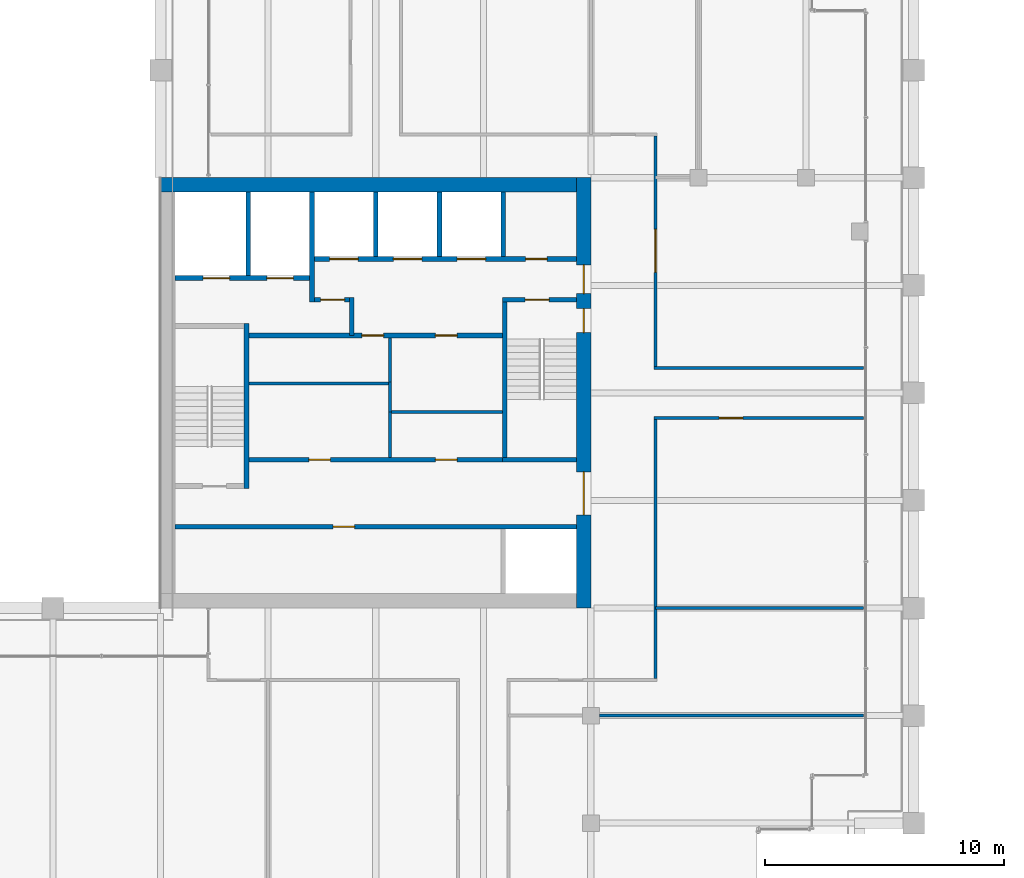
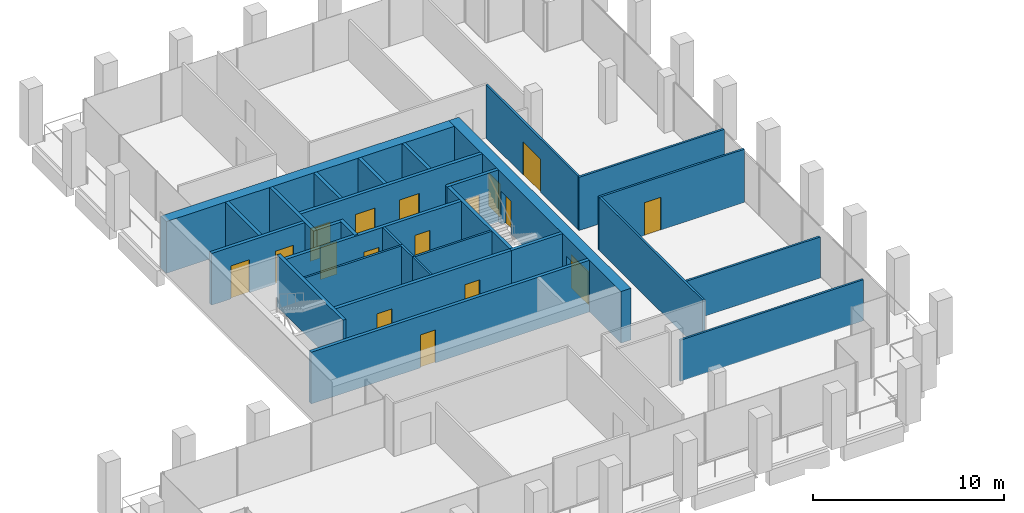
# One storey, part 36 of 40: 29 walls, 18 doors, 18 openings.
"""IFC4 building model written with IfcOpenShell, lengths in metres."""

from ifc_helpers import new_model, si_unit, direction, frame, frame_2d, origin, place, context, subcontext, project, spatial, rectangle, extrude, material, layer, layer_set, type_object, element, fill, save


model = new_model("IFC4")

# Units and contexts
model_context = context("Model", 3, precision=1e-05, world=origin(), true_north=direction((0.0, 1.0)))
body_context = subcontext(model_context, "Body", "Model", "MODEL_VIEW")
ifc_project = project(units=[si_unit("LENGTHUNIT", "METRE"), si_unit("AREAUNIT", "SQUARE_METRE"), si_unit("VOLUMEUNIT", "CUBIC_METRE"), si_unit("PLANEANGLEUNIT", "RADIAN"), si_unit("MASSUNIT", "GRAM", prefix="KILO")], contexts=[model_context])

# Site, building, storey
site_placement = place(None, origin())
site = spatial("IfcSite", under=ifc_project, at=site_placement, CompositionType="ELEMENT")
building_placement = place(site_placement, origin())
building = spatial("IfcBuilding", under=site, at=building_placement, Name="Altepetl Exchange Towers", CompositionType="ELEMENT")
storey_placement = place(building_placement, frame((0.0, 0.0, 187.0)))
storey = spatial("IfcBuildingStorey", under=building, at=storey_placement, Name="L47", CompositionType="ELEMENT", Elevation=187.0)

# Wall, openings, doors
ifc_material_1 = material(Name="Concrete C70/85", Category="concrete")
ifc_layer_1 = layer(ifc_material_1, 0.60009765625)
ifc_layer_set_1 = layer_set([ifc_layer_1], Name="Concrete C70/85")
wall_type_1 = type_object("IfcWallType", Name="Core wall 600 reinforced concrete", PredefinedType="SHEAR", material=ifc_layer_set_1)
wall_1_placement = place(storey_placement, frame((58.199951171875, 40.5, 0.0), z_axis=(0.0, 0.0, 1.0), x_axis=(0.0, 1.0, 0.0)))
wall_1 = element("IfcWall", 1, at=wall_1_placement, inside=storey, type_object=wall_type_1, Name="wall:A:L47:K-coreE", PredefinedType="SHEAR", context=body_context, shape_type="SweptSolid", body=[
    extrude(rectangle(XDim=18.0, YDim=0.60009765625, at=frame_2d((9.0, 0.0))), origin(), (0.0, 0.0, 1.0), 3.300048828125),
])
opening_1_placement = place(wall_1_placement, frame((13.14990234375, 0.0, 0.0)))
opening_1 = element("IfcOpeningElement", 2, at=opening_1_placement, cuts=wall_1, Name="Opening L47.A60", PredefinedType="OPENING", context=body_context, shape_type="SweptSolid", body=[
    extrude(rectangle(XDim=1.199951171875, YDim=2.10009765625, at=frame_2d((0.60009765625, 1.050048828125))), frame((0.0, 0.31005859375, 0.0), z_axis=(0.0, -1.0, 0.0), x_axis=(1.0, 0.0, 0.0)), (0.0, 0.0, 1.0), 0.6201171875),
])
opening_2_placement = place(wall_1_placement, frame((3.89990234375, 0.0, 0.0)))
opening_2 = element("IfcOpeningElement", 3, at=opening_2_placement, cuts=wall_1, Name="Opening L47.A61", PredefinedType="OPENING", context=body_context, shape_type="SweptSolid", body=[
    extrude(rectangle(XDim=1.800048828125, YDim=2.10009765625, at=frame_2d((0.89990234375, 1.050048828125))), frame((0.0, 0.31005859375, 0.0), z_axis=(0.0, -1.0, 0.0), x_axis=(1.0, 0.0, 0.0)), (0.0, 0.0, 1.0), 0.6201171875),
])
opening_3_placement = place(wall_1_placement, frame((11.52490234375, 0.0, 0.0)))
opening_3 = element("IfcOpeningElement", 4, at=opening_3_placement, cuts=wall_1, Name="Opening L47.A64", PredefinedType="OPENING", context=body_context, shape_type="SweptSolid", body=[
    extrude(rectangle(XDim=1.0, YDim=2.10009765625, at=frame_2d((0.5, 1.050048828125))), frame((0.0, 0.31005859375, 0.0), z_axis=(0.0, -1.0, 0.0), x_axis=(1.0, 0.0, 0.0)), (0.0, 0.0, 1.0), 0.6201171875),
])
ifc_material_2 = material(Name="Steel and timber fire door", Category="steel")
door_type_1 = type_object("IfcDoorType", Name="Fire door 1000 x 2100 stair and lobby", OperationType="SINGLE_SWING_LEFT", PredefinedType="DOOR", material=ifc_material_2)
door_1_placement = place(opening_3_placement, origin())
door_1 = element("IfcDoor", 5, at=door_1_placement, inside=storey, type_object=door_type_1, Name="door:A:L47:K-dS2x", OperationType="SINGLE_SWING_RIGHT", OverallHeight=2.10009765625, OverallWidth=1.0, PredefinedType="DOOR", context=body_context, shape_type="SweptSolid", body=[
    extrude(rectangle(XDim=1.0, YDim=2.10009765625, at=frame_2d((0.5, 1.050048828125))), frame((0.0, 0.02490234375, 0.0), z_axis=(0.0, -1.0, 0.0), x_axis=(1.0, 0.0, 0.0)), (0.0, 0.0, 1.0), 0.050048828125),
])
fill(opening_3, door_1)
door_type_2 = type_object("IfcDoorType", Name="Fire door 1200 x 2100 lobby entry", OperationType="SINGLE_SWING_LEFT", PredefinedType="DOOR", material=ifc_material_2)
door_2_placement = place(opening_1_placement, origin())
door_2 = element("IfcDoor", 6, at=door_2_placement, inside=storey, type_object=door_type_2, Name="door:A:L47:K-dLNE", OperationType="SINGLE_SWING_RIGHT", OverallHeight=2.10009765625, OverallWidth=1.199951171875, PredefinedType="DOOR", context=body_context, shape_type="SweptSolid", body=[
    extrude(rectangle(XDim=1.199951171875, YDim=2.10009765625, at=frame_2d((0.60009765625, 1.050048828125))), frame((0.0, 0.02490234375, 0.0), z_axis=(0.0, -1.0, 0.0), x_axis=(1.0, 0.0, 0.0)), (0.0, 0.0, 1.0), 0.050048828125),
])
fill(opening_1, door_2)
door_type_3 = type_object("IfcDoorType", Name="Fire door 1800 x 2100 lobby entry", OperationType="DOUBLE_DOOR_SINGLE_SWING", PredefinedType="DOOR", material=ifc_material_2)
door_3_placement = place(opening_2_placement, origin())
door_3 = element("IfcDoor", 7, at=door_3_placement, inside=storey, type_object=door_type_3, Name="door:A:L47:K-dLSE", OperationType="DOUBLE_DOOR_SINGLE_SWING", OverallHeight=2.10009765625, OverallWidth=1.800048828125, PredefinedType="DOOR", context=body_context, shape_type="SweptSolid", body=[
    extrude(rectangle(XDim=1.800048828125, YDim=2.10009765625, at=frame_2d((0.89990234375, 1.050048828125))), frame((0.0, 0.02490234375, 0.0), z_axis=(0.0, -1.0, 0.0), x_axis=(1.0, 0.0, 0.0)), (0.0, 0.0, 1.0), 0.050048828125),
])
fill(opening_2, door_3)

# Walls
wall_2_placement = place(storey_placement, frame((40.5, 58.199951171875, 0.0)))
element("IfcWall", 8, at=wall_2_placement, inside=storey, type_object=wall_type_1, Name="wall:A:L47:K-coreN", PredefinedType="SHEAR", context=body_context, shape_type="SweptSolid", body=[
    extrude(rectangle(XDim=17.39990234375, YDim=0.60009765625, at=frame_2d((8.699951171875, 0.0))), origin(), (0.0, 0.0, 1.0), 3.300048828125),
])
ifc_material_3 = material(Name="Concrete blockwork", Category="masonry")
ifc_layer_2 = layer(ifc_material_3, 0.199951171875)
ifc_layer_set_2 = layer_set([ifc_layer_2], Name="Concrete blockwork")
wall_type_2 = type_object("IfcWallType", Name="Lobby wall 200 blockwork", PredefinedType="PARTITIONING", material=ifc_layer_set_2)
wall_3_placement = place(storey_placement, frame((48.5, 51.89990234375, 0.0), z_axis=(0.0, 0.0, 1.0), x_axis=(0.0, 1.0, 0.0)))
element("IfcWall", 9, at=wall_3_placement, inside=storey, type_object=wall_type_2, Name="wall:A:L47:K-ffE", PredefinedType="PARTITIONING", context=body_context, shape_type="SweptSolid", body=[
    extrude(rectangle(XDim=1.60009765625, YDim=0.199951171875, at=frame_2d((0.800048828125, 0.0))), origin(), (0.0, 0.0, 1.0), 3.300048828125),
])

# Wall, opening, door
wall_4_placement = place(storey_placement, frame((46.933349609375, 53.39990234375, 0.0)))
wall_4 = element("IfcWall", 10, at=wall_4_placement, inside=storey, type_object=wall_type_2, Name="wall:A:L47:K-ffN", PredefinedType="PARTITIONING", context=body_context, shape_type="SweptSolid", body=[
    extrude(rectangle(XDim=1.466552734375, YDim=0.199951171875, at=frame_2d((0.7333984375, 0.0))), origin(), (0.0, 0.0, 1.0), 3.300048828125),
])
opening_4_placement = place(wall_4_placement, frame((0.2666015625, 0.0, 0.0)))
opening_4 = element("IfcOpeningElement", 11, at=opening_4_placement, cuts=wall_4, Name="Opening L47.A65", PredefinedType="OPENING", context=body_context, shape_type="SweptSolid", body=[
    extrude(rectangle(XDim=1.0, YDim=2.10009765625, at=frame_2d((0.5, 1.050048828125))), frame((0.0, 0.10986328125, 0.0), z_axis=(0.0, -1.0, 0.0), x_axis=(1.0, 0.0, 0.0)), (0.0, 0.0, 1.0), 0.219970703125),
])
door_4_placement = place(opening_4_placement, frame((1.0, 0.0, 0.0), x_axis=(-1.0, 0.0, 0.0)))
door_4 = element("IfcDoor", 12, at=door_4_placement, inside=storey, type_object=door_type_1, Name="door:A:L47:K-dffN", OperationType="SINGLE_SWING_RIGHT", OverallHeight=2.10009765625, OverallWidth=1.0, PredefinedType="DOOR", context=body_context, shape_type="SweptSolid", body=[
    extrude(rectangle(XDim=1.0, YDim=2.10009765625, at=frame_2d((0.5, 1.050048828125))), frame((0.0, 0.02490234375, 0.0), z_axis=(0.0, -1.0, 0.0), x_axis=(1.0, 0.0, 0.0)), (0.0, 0.0, 1.0), 0.050048828125),
])
fill(opening_4, door_4)

# Wall, openings, doors
wall_5_placement = place(storey_placement, frame((44.199951171875, 51.89990234375, 0.0)))
wall_5 = element("IfcWall", 13, at=wall_5_placement, inside=storey, type_object=wall_type_2, Name="wall:A:L47:K-zoneN", PredefinedType="PARTITIONING", context=body_context, shape_type="SweptSolid", body=[
    extrude(rectangle(XDim=10.60009765625, YDim=0.199951171875, at=frame_2d((5.300048828125, 0.0))), origin(), (0.0, 0.0, 1.0), 3.300048828125),
])
opening_5_placement = place(wall_5_placement, frame((4.72509765625, 0.0, 0.0)))
opening_5 = element("IfcOpeningElement", 14, at=opening_5_placement, cuts=wall_5, Name="Opening L47.A69", PredefinedType="OPENING", context=body_context, shape_type="SweptSolid", body=[
    extrude(rectangle(XDim=0.89990234375, YDim=2.10009765625, at=frame_2d((0.449951171875, 1.050048828125))), frame((0.0, 0.10986328125, 0.0), z_axis=(0.0, -1.0, 0.0), x_axis=(1.0, 0.0, 0.0)), (0.0, 0.0, 1.0), 0.219970703125),
])
opening_6_placement = place(wall_5_placement, frame((7.800048828125, 0.0, 0.0)))
opening_6 = element("IfcOpeningElement", 15, at=opening_6_placement, cuts=wall_5, Name="Opening L47.A71", PredefinedType="OPENING", context=body_context, shape_type="SweptSolid", body=[
    extrude(rectangle(XDim=0.89990234375, YDim=2.10009765625, at=frame_2d((0.449951171875, 1.050048828125))), frame((0.0, 0.10986328125, 0.0), z_axis=(0.0, -1.0, 0.0), x_axis=(1.0, 0.0, 0.0)), (0.0, 0.0, 1.0), 0.219970703125),
])
door_type_4 = type_object("IfcDoorType", Name="Fire door 900 x 2100 service room", OperationType="SINGLE_SWING_LEFT", PredefinedType="DOOR", material=ifc_material_2)
door_5_placement = place(opening_5_placement, frame((0.89990234375, 0.0, 0.0), x_axis=(-1.0, 0.0, 0.0)))
door_5 = element("IfcDoor", 16, at=door_5_placement, inside=storey, type_object=door_type_4, Name="door:A:L47:K-dz2", OperationType="SINGLE_SWING_RIGHT", OverallHeight=2.10009765625, OverallWidth=0.89990234375, PredefinedType="DOOR", context=body_context, shape_type="SweptSolid", body=[
    extrude(rectangle(XDim=0.89990234375, YDim=2.10009765625, at=frame_2d((0.449951171875, 1.050048828125))), frame((0.0, 0.02490234375, 0.0), z_axis=(0.0, -1.0, 0.0), x_axis=(1.0, 0.0, 0.0)), (0.0, 0.0, 1.0), 0.050048828125),
])
fill(opening_5, door_5)
door_6_placement = place(opening_6_placement, frame((0.89990234375, 0.0, 0.0), x_axis=(-1.0, 0.0, 0.0)))
door_6 = element("IfcDoor", 17, at=door_6_placement, inside=storey, type_object=door_type_4, Name="door:A:L47:K-dz4", OperationType="SINGLE_SWING_LEFT", OverallHeight=2.10009765625, OverallWidth=0.89990234375, PredefinedType="DOOR", context=body_context, shape_type="SweptSolid", body=[
    extrude(rectangle(XDim=0.89990234375, YDim=2.10009765625, at=frame_2d((0.449951171875, 1.050048828125))), frame((0.0, 0.02490234375, 0.0), z_axis=(0.0, -1.0, 0.0), x_axis=(1.0, 0.0, 0.0)), (0.0, 0.0, 1.0), 0.050048828125),
])
fill(opening_6, door_6)

wall_6_placement = place(storey_placement, frame((44.199951171875, 46.699951171875, 0.0)))
wall_6 = element("IfcWall", 18, at=wall_6_placement, inside=storey, type_object=wall_type_2, Name="wall:A:L47:K-zoneS", PredefinedType="PARTITIONING", context=body_context, shape_type="SweptSolid", body=[
    extrude(rectangle(XDim=10.60009765625, YDim=0.199951171875, at=frame_2d((5.300048828125, 0.0))), origin(), (0.0, 0.0, 1.0), 3.300048828125),
])
opening_7_placement = place(wall_6_placement, frame((2.5, 0.0, 0.0)))
opening_7 = element("IfcOpeningElement", 19, at=opening_7_placement, cuts=wall_6, Name="Opening L47.A68", PredefinedType="OPENING", context=body_context, shape_type="SweptSolid", body=[
    extrude(rectangle(XDim=0.89990234375, YDim=2.10009765625, at=frame_2d((0.449951171875, 1.050048828125))), frame((0.0, 0.10986328125, 0.0), z_axis=(0.0, -1.0, 0.0), x_axis=(1.0, 0.0, 0.0)), (0.0, 0.0, 1.0), 0.219970703125),
])
opening_8_placement = place(wall_6_placement, frame((7.800048828125, 0.0, 0.0)))
opening_8 = element("IfcOpeningElement", 20, at=opening_8_placement, cuts=wall_6, Name="Opening L47.A70", PredefinedType="OPENING", context=body_context, shape_type="SweptSolid", body=[
    extrude(rectangle(XDim=0.89990234375, YDim=2.10009765625, at=frame_2d((0.449951171875, 1.050048828125))), frame((0.0, 0.10986328125, 0.0), z_axis=(0.0, -1.0, 0.0), x_axis=(1.0, 0.0, 0.0)), (0.0, 0.0, 1.0), 0.219970703125),
])
door_7_placement = place(opening_7_placement, origin())
door_7 = element("IfcDoor", 21, at=door_7_placement, inside=storey, type_object=door_type_4, Name="door:A:L47:K-dz1", OperationType="SINGLE_SWING_RIGHT", OverallHeight=2.10009765625, OverallWidth=0.89990234375, PredefinedType="DOOR", context=body_context, shape_type="SweptSolid", body=[
    extrude(rectangle(XDim=0.89990234375, YDim=2.10009765625, at=frame_2d((0.449951171875, 1.050048828125))), frame((0.0, 0.02490234375, 0.0), z_axis=(0.0, -1.0, 0.0), x_axis=(1.0, 0.0, 0.0)), (0.0, 0.0, 1.0), 0.050048828125),
])
fill(opening_7, door_7)
door_8_placement = place(opening_8_placement, origin())
door_8 = element("IfcDoor", 22, at=door_8_placement, inside=storey, type_object=door_type_4, Name="door:A:L47:K-dz3", OperationType="SINGLE_SWING_RIGHT", OverallHeight=2.10009765625, OverallWidth=0.89990234375, PredefinedType="DOOR", context=body_context, shape_type="SweptSolid", body=[
    extrude(rectangle(XDim=0.89990234375, YDim=2.10009765625, at=frame_2d((0.449951171875, 1.050048828125))), frame((0.0, 0.02490234375, 0.0), z_axis=(0.0, -1.0, 0.0), x_axis=(1.0, 0.0, 0.0)), (0.0, 0.0, 1.0), 0.050048828125),
])
fill(opening_8, door_8)

# Walls
ifc_material_4 = material(Name="Gypsum board on steel studs", Category="steel")
ifc_layer_3 = layer(ifc_material_4, 0.125)
ifc_layer_set_3 = layer_set([ifc_layer_3], Name="Gypsum board on steel studs")
wall_type_3 = type_object("IfcWallType", Name="Partition 125 gypsum board on steel studs", PredefinedType="PARTITIONING", material=ifc_layer_set_3)
wall_7_placement = place(storey_placement, frame((50.10009765625, 46.800048828125, 0.0), z_axis=(0.0, 0.0, 1.0), x_axis=(0.0, 1.0, 0.0)))
element("IfcWall", 23, at=wall_7_placement, inside=storey, type_object=wall_type_3, Name="wall:A:L47:K-zp1", PredefinedType="PARTITIONING", context=body_context, shape_type="SweptSolid", body=[
    extrude(rectangle(XDim=1.96240234375, YDim=0.125, at=frame_2d((0.981201171875, 0.0))), origin(), (0.0, 0.0, 1.0), 3.300048828125),
])
wall_8_placement = place(storey_placement, frame((54.800048828125, 48.699951171875, 0.0), z_axis=(0.0, 0.0, 1.0), x_axis=(-1.0, 0.0, 0.0)))
element("IfcWall", 24, at=wall_8_placement, inside=storey, type_object=wall_type_3, Name="wall:A:L47:K-zp2", PredefinedType="PARTITIONING", context=body_context, shape_type="SweptSolid", body=[
    extrude(rectangle(XDim=4.637451171875, YDim=0.125, at=frame_2d((2.31884765625, 0.0))), origin(), (0.0, 0.0, 1.0), 3.300048828125),
])
wall_9_placement = place(storey_placement, frame((50.10009765625, 48.699951171875, 0.0), z_axis=(0.0, 0.0, 1.0), x_axis=(0.0, 1.0, 0.0)))
element("IfcWall", 25, at=wall_9_placement, inside=storey, type_object=wall_type_3, Name="wall:A:L47:K-zp3", PredefinedType="PARTITIONING", context=body_context, shape_type="SweptSolid", body=[
    extrude(rectangle(XDim=1.262451171875, YDim=0.125, at=frame_2d((0.63134765625, 0.0))), origin(), (0.0, 0.0, 1.0), 3.300048828125),
])
wall_10_placement = place(storey_placement, frame((50.03759765625, 49.89990234375, 0.0), z_axis=(0.0, 0.0, 1.0), x_axis=(-1.0, 0.0, 0.0)))
element("IfcWall", 26, at=wall_10_placement, inside=storey, type_object=wall_type_3, Name="wall:A:L47:K-zp4", PredefinedType="PARTITIONING", context=body_context, shape_type="SweptSolid", body=[
    extrude(rectangle(XDim=5.837646484375, YDim=0.125, at=frame_2d((2.9189453125, 0.0))), origin(), (0.0, 0.0, 1.0), 3.300048828125),
])
wall_11_placement = place(storey_placement, frame((50.10009765625, 49.89990234375, 0.0), z_axis=(0.0, 0.0, 1.0), x_axis=(0.0, 1.0, 0.0)))
element("IfcWall", 27, at=wall_11_placement, inside=storey, type_object=wall_type_3, Name="wall:A:L47:K-zp5", PredefinedType="PARTITIONING", context=body_context, shape_type="SweptSolid", body=[
    extrude(rectangle(XDim=1.900146484375, YDim=0.125, at=frame_2d((0.9501953125, 0.0))), origin(), (0.0, 0.0, 1.0), 3.300048828125),
])
wall_12_placement = place(storey_placement, frame((58.85009765625, 36.0, 0.0)))
element("IfcWall", 28, at=wall_12_placement, inside=storey, type_object=wall_type_3, Name="wall:A:L47:P02", PredefinedType="PARTITIONING", context=body_context, shape_type="SweptSolid", body=[
    extrude(rectangle(XDim=11.0498046875, YDim=0.125, at=frame_2d((5.52490234375, 0.0))), origin(), (0.0, 0.0, 1.0), 2.6259765625),
])
wall_13_placement = place(storey_placement, frame((61.199951171875, 40.5, 0.0)))
element("IfcWall", 29, at=wall_13_placement, inside=storey, type_object=wall_type_3, Name="wall:A:L47:P05", PredefinedType="PARTITIONING", context=body_context, shape_type="SweptSolid", body=[
    extrude(rectangle(XDim=8.699951171875, YDim=0.125, at=frame_2d((4.35009765625, 0.0))), origin(), (0.0, 0.0, 1.0), 2.6259765625),
])

# Wall, opening, door
wall_14_placement = place(storey_placement, frame((61.137451171875, 48.449951171875, 0.0)))
wall_14 = element("IfcWall", 30, at=wall_14_placement, inside=storey, type_object=wall_type_3, Name="wall:A:L47:P06", PredefinedType="PARTITIONING", context=body_context, shape_type="SweptSolid", body=[
    extrude(rectangle(XDim=8.762451171875, YDim=0.125, at=frame_2d((4.38134765625, 0.0))), origin(), (0.0, 0.0, 1.0), 3.39990234375),
])
opening_9_placement = place(wall_14_placement, frame((2.722412109375, 0.0, 0.0)))
opening_9 = element("IfcOpeningElement", 31, at=opening_9_placement, cuts=wall_14, Name="Opening L47.A05", PredefinedType="OPENING", context=body_context, shape_type="SweptSolid", body=[
    extrude(rectangle(XDim=1.0, YDim=2.10009765625, at=frame_2d((0.5, 1.050048828125))), frame((0.0, 0.072509765625, 0.0), z_axis=(0.0, -1.0, 0.0), x_axis=(1.0, 0.0, 0.0)), (0.0, 0.0, 1.0), 0.14501953125),
])
door_type_5 = type_object("IfcDoorType", Name="Fire door 1000 x 2100 single leaf", OperationType="SINGLE_SWING_LEFT", PredefinedType="DOOR", material=ifc_material_2)
door_9_placement = place(opening_9_placement, frame((1.0, 0.0, 0.0), x_axis=(-1.0, 0.0, 0.0)))
door_9 = element("IfcDoor", 32, at=door_9_placement, inside=storey, type_object=door_type_5, Name="door:A:L47:05", OperationType="SINGLE_SWING_LEFT", OverallHeight=2.10009765625, OverallWidth=1.0, PredefinedType="DOOR", context=body_context, shape_type="SweptSolid", body=[
    extrude(rectangle(XDim=1.0, YDim=2.10009765625, at=frame_2d((0.5, 1.050048828125))), frame((0.0, 0.02490234375, 0.0), z_axis=(0.0, -1.0, 0.0), x_axis=(1.0, 0.0, 0.0)), (0.0, 0.0, 1.0), 0.050048828125),
])
fill(opening_9, door_9)

# Walls
wall_15_placement = place(storey_placement, frame((61.137451171875, 50.550048828125, 0.0)))
element("IfcWall", 33, at=wall_15_placement, inside=storey, type_object=wall_type_3, Name="wall:A:L47:P07", PredefinedType="PARTITIONING", context=body_context, shape_type="SweptSolid", body=[
    extrude(rectangle(XDim=8.762451171875, YDim=0.125, at=frame_2d((4.38134765625, 0.0))), origin(), (0.0, 0.0, 1.0), 3.39990234375),
])
wall_16_placement = place(storey_placement, frame((61.199951171875, 37.5625, 0.0), z_axis=(0.0, 0.0, 1.0), x_axis=(0.0, 1.0, 0.0)))
element("IfcWall", 34, at=wall_16_placement, inside=storey, type_object=wall_type_3, Name="wall:A:L47:P18", PredefinedType="PARTITIONING", context=body_context, shape_type="SweptSolid", body=[
    extrude(rectangle(XDim=10.824951171875, YDim=0.125, at=frame_2d((5.41259765625, 0.0))), origin(), (0.0, 0.0, 1.0), 3.39990234375),
])

# Wall, opening, door
wall_17_placement = place(storey_placement, frame((61.199951171875, 50.612548828125, 0.0), z_axis=(0.0, 0.0, 1.0), x_axis=(0.0, 1.0, 0.0)))
wall_17 = element("IfcWall", 35, at=wall_17_placement, inside=storey, type_object=wall_type_3, Name="wall:A:L47:P19", PredefinedType="PARTITIONING", context=body_context, shape_type="SweptSolid", body=[
    extrude(rectangle(XDim=9.625, YDim=0.125, at=frame_2d((4.8125, 0.0))), origin(), (0.0, 0.0, 1.0), 3.39990234375),
])
opening_10_placement = place(wall_17_placement, frame((3.931396484375, 0.0, 0.0)))
opening_10 = element("IfcOpeningElement", 36, at=opening_10_placement, cuts=wall_17, Name="Opening L47.A06", PredefinedType="OPENING", context=body_context, shape_type="SweptSolid", body=[
    extrude(rectangle(XDim=1.800048828125, YDim=2.10009765625, at=frame_2d((0.89990234375, 1.050048828125))), frame((0.0, 0.072509765625, 0.0), z_axis=(0.0, -1.0, 0.0), x_axis=(1.0, 0.0, 0.0)), (0.0, 0.0, 1.0), 0.14501953125),
])
door_type_6 = type_object("IfcDoorType", Name="Fire door 1800 x 2100 double leaf", OperationType="DOUBLE_DOOR_SINGLE_SWING", PredefinedType="DOOR", material=ifc_material_2)
door_10_placement = place(opening_10_placement, frame((1.800048828125, 0.0, 0.0), x_axis=(-1.0, 0.0, 0.0)))
door_10 = element("IfcDoor", 37, at=door_10_placement, inside=storey, type_object=door_type_6, Name="door:A:L47:06", OperationType="DOUBLE_DOOR_SINGLE_SWING", OverallHeight=2.10009765625, OverallWidth=1.800048828125, PredefinedType="DOOR", context=body_context, shape_type="SweptSolid", body=[
    extrude(rectangle(XDim=1.800048828125, YDim=2.10009765625, at=frame_2d((0.89990234375, 1.050048828125))), frame((0.0, 0.02490234375, 0.0), z_axis=(0.0, -1.0, 0.0), x_axis=(1.0, 0.0, 0.0)), (0.0, 0.0, 1.0), 0.050048828125),
])
fill(opening_10, door_10)

# Walls
ifc_material_5 = material(Name="Concrete C40/50", Category="concrete")
ifc_layer_4 = layer(ifc_material_5, 0.199951171875)
ifc_layer_set_4 = layer_set([ifc_layer_4], Name="Concrete C40/50")
wall_type_4 = type_object("IfcWallType", Name="Shaft wall 200 reinforced concrete", PredefinedType="SHEAR", material=ifc_layer_set_4)
wall_18_placement = place(storey_placement, frame((44.166748046875, 57.89990234375, 0.0), z_axis=(0.0, 0.0, 1.0), x_axis=(0.0, -1.0, 0.0)))
element("IfcWall", 38, at=wall_18_placement, inside=storey, type_object=wall_type_4, Name="wall:A:L47:K-divN1", PredefinedType="SHEAR", context=body_context, shape_type="SweptSolid", body=[
    extrude(rectangle(XDim=3.5, YDim=0.199951171875, at=frame_2d((1.75, 0.0))), origin(), (0.0, 0.0, 1.0), 3.300048828125),
])
wall_19_placement = place(storey_placement, frame((46.833251953125, 57.89990234375, 0.0), z_axis=(0.0, 0.0, 1.0), x_axis=(0.0, -1.0, 0.0)))
element("IfcWall", 39, at=wall_19_placement, inside=storey, type_object=wall_type_4, Name="wall:A:L47:K-divN2", PredefinedType="SHEAR", context=body_context, shape_type="SweptSolid", body=[
    extrude(rectangle(XDim=4.599853515625, YDim=0.199951171875, at=frame_2d((2.2998046875, 0.0))), origin(), (0.0, 0.0, 1.0), 3.300048828125),
])
for number, where, z_axis, x_axis, name in (
    (40, (49.5, 57.89990234375, 0.0), (0.0, 0.0, 1.0), (0.0, -1.0, 0.0), "wall:A:L47:K-divN3"),
    (41, (52.166748046875, 57.89990234375, 0.0), (0.0, 0.0, 1.0), (0.0, -1.0, 0.0), "wall:A:L47:K-divN4"),
    (42, (54.833251953125, 57.89990234375, 0.0), (0.0, 0.0, 1.0), (0.0, -1.0, 0.0), "wall:A:L47:K-divN5"),
):
    element("IfcWall", number, at=place(storey_placement, frame(where, z_axis=z_axis, x_axis=x_axis)), inside=storey, type_object=wall_type_4, Name=name, PredefinedType="SHEAR", context=body_context, shape_type="SweptSolid", body=[
        extrude(rectangle(XDim=2.699951171875, YDim=0.199951171875, at=frame_2d((1.35009765625, 0.0))), origin(), (0.0, 0.0, 1.0), 3.300048828125),
    ])

# Wall, openings, doors
wall_20_placement = place(storey_placement, frame((46.933349609375, 55.10009765625, 0.0)))
wall_20 = element("IfcWall", 43, at=wall_20_placement, inside=storey, type_object=wall_type_4, Name="wall:A:L47:K-frontNb", PredefinedType="SHEAR", context=body_context, shape_type="SweptSolid", body=[
    extrude(rectangle(XDim=10.966552734375, YDim=0.199951171875, at=frame_2d((5.4833984375, 0.0))), origin(), (0.0, 0.0, 1.0), 3.300048828125),
])
opening_11_placement = place(wall_20_placement, frame((8.83349609375, 0.0, 0.0)))
opening_11 = element("IfcOpeningElement", 44, at=opening_11_placement, cuts=wall_20, Name="Opening L47.A66", PredefinedType="OPENING", context=body_context, shape_type="SweptSolid", body=[
    extrude(rectangle(XDim=0.89990234375, YDim=2.10009765625, at=frame_2d((0.449951171875, 1.050048828125))), frame((0.0, 0.10986328125, 0.0), z_axis=(0.0, -1.0, 0.0), x_axis=(1.0, 0.0, 0.0)), (0.0, 0.0, 1.0), 0.219970703125),
])
opening_12_placement = place(wall_20_placement, frame((0.63330078125, 0.0, 0.0)))
opening_12 = element("IfcOpeningElement", 45, at=opening_12_placement, cuts=wall_20, Name="Opening L47.A74", PredefinedType="OPENING", context=body_context, shape_type="SweptSolid", body=[
    extrude(rectangle(XDim=1.199951171875, YDim=2.10009765625, at=frame_2d((0.60009765625, 1.050048828125))), frame((0.0, 0.10986328125, 0.0), z_axis=(0.0, -1.0, 0.0), x_axis=(1.0, 0.0, 0.0)), (0.0, 0.0, 1.0), 0.219970703125),
])
opening_13_placement = place(wall_20_placement, frame((3.300048828125, 0.0, 0.0)))
opening_13 = element("IfcOpeningElement", 46, at=opening_13_placement, cuts=wall_20, Name="Opening L47.A75", PredefinedType="OPENING", context=body_context, shape_type="SweptSolid", body=[
    extrude(rectangle(XDim=1.199951171875, YDim=2.10009765625, at=frame_2d((0.60009765625, 1.050048828125))), frame((0.0, 0.10986328125, 0.0), z_axis=(0.0, -1.0, 0.0), x_axis=(1.0, 0.0, 0.0)), (0.0, 0.0, 1.0), 0.219970703125),
])
opening_14_placement = place(wall_20_placement, frame((5.966796875, 0.0, 0.0)))
opening_14 = element("IfcOpeningElement", 47, at=opening_14_placement, cuts=wall_20, Name="Opening L47.A76", PredefinedType="OPENING", context=body_context, shape_type="SweptSolid", body=[
    extrude(rectangle(XDim=1.199951171875, YDim=2.10009765625, at=frame_2d((0.60009765625, 1.050048828125))), frame((0.0, 0.10986328125, 0.0), z_axis=(0.0, -1.0, 0.0), x_axis=(1.0, 0.0, 0.0)), (0.0, 0.0, 1.0), 0.219970703125),
])
door_11_placement = place(opening_11_placement, origin())
door_11 = element("IfcDoor", 48, at=door_11_placement, inside=storey, type_object=door_type_4, Name="door:A:L47:K-driser", OperationType="SINGLE_SWING_RIGHT", OverallHeight=2.10009765625, OverallWidth=0.89990234375, PredefinedType="DOOR", context=body_context, shape_type="SweptSolid", body=[
    extrude(rectangle(XDim=0.89990234375, YDim=2.10009765625, at=frame_2d((0.449951171875, 1.050048828125))), frame((0.0, 0.02490234375, 0.0), z_axis=(0.0, -1.0, 0.0), x_axis=(1.0, 0.0, 0.0)), (0.0, 0.0, 1.0), 0.050048828125),
])
fill(opening_11, door_11)
ifc_material_6 = material(Name="Stainless steel", Category="steel")
door_type_7 = type_object("IfcDoorType", Name="Lift landing door 1200 x 2100", OperationType="SLIDING_TO_LEFT", PredefinedType="DOOR", material=ifc_material_6)
door_12_placement = place(opening_12_placement, origin())
door_12 = element("IfcDoor", 49, at=door_12_placement, inside=storey, type_object=door_type_7, Name="Landing door P5", OperationType="SLIDING_TO_LEFT", OverallHeight=2.10009765625, OverallWidth=1.199951171875, PredefinedType="DOOR", context=body_context, shape_type="SweptSolid", body=[
    extrude(rectangle(XDim=1.199951171875, YDim=2.10009765625, at=frame_2d((0.60009765625, 1.050048828125))), frame((0.0, 0.02490234375, 0.0), z_axis=(0.0, -1.0, 0.0), x_axis=(1.0, 0.0, 0.0)), (0.0, 0.0, 1.0), 0.050048828125),
])
fill(opening_12, door_12)
door_13_placement = place(opening_13_placement, origin())
door_13 = element("IfcDoor", 50, at=door_13_placement, inside=storey, type_object=door_type_7, Name="Landing door P6", OperationType="SLIDING_TO_LEFT", OverallHeight=2.10009765625, OverallWidth=1.199951171875, PredefinedType="DOOR", context=body_context, shape_type="SweptSolid", body=[
    extrude(rectangle(XDim=1.199951171875, YDim=2.10009765625, at=frame_2d((0.60009765625, 1.050048828125))), frame((0.0, 0.02490234375, 0.0), z_axis=(0.0, -1.0, 0.0), x_axis=(1.0, 0.0, 0.0)), (0.0, 0.0, 1.0), 0.050048828125),
])
fill(opening_13, door_13)
door_14_placement = place(opening_14_placement, origin())
door_14 = element("IfcDoor", 51, at=door_14_placement, inside=storey, type_object=door_type_7, Name="Landing door P7", OperationType="SLIDING_TO_LEFT", OverallHeight=2.10009765625, OverallWidth=1.199951171875, PredefinedType="DOOR", context=body_context, shape_type="SweptSolid", body=[
    extrude(rectangle(XDim=1.199951171875, YDim=2.10009765625, at=frame_2d((0.60009765625, 1.050048828125))), frame((0.0, 0.02490234375, 0.0), z_axis=(0.0, -1.0, 0.0), x_axis=(1.0, 0.0, 0.0)), (0.0, 0.0, 1.0), 0.050048828125),
])
fill(opening_14, door_14)

wall_21_placement = place(storey_placement, frame((41.10009765625, 54.300048828125, 0.0)))
wall_21 = element("IfcWall", 52, at=wall_21_placement, inside=storey, type_object=wall_type_4, Name="wall:A:L47:K-frontNd", PredefinedType="SHEAR", context=body_context, shape_type="SweptSolid", body=[
    extrude(rectangle(XDim=5.63330078125, YDim=0.199951171875, at=frame_2d((2.816650390625, 0.0))), origin(), (0.0, 0.0, 1.0), 3.300048828125),
])
opening_15_placement = place(wall_21_placement, frame((1.183349609375, 0.0, 0.0)))
opening_15 = element("IfcOpeningElement", 53, at=opening_15_placement, cuts=wall_21, Name="Opening L47.A72", PredefinedType="OPENING", context=body_context, shape_type="SweptSolid", body=[
    extrude(rectangle(XDim=1.10009765625, YDim=2.10009765625, at=frame_2d((0.550048828125, 1.050048828125))), frame((0.0, 0.10986328125, 0.0), z_axis=(0.0, -1.0, 0.0), x_axis=(1.0, 0.0, 0.0)), (0.0, 0.0, 1.0), 0.219970703125),
])
opening_16_placement = place(wall_21_placement, frame((3.85009765625, 0.0, 0.0)))
opening_16 = element("IfcOpeningElement", 54, at=opening_16_placement, cuts=wall_21, Name="Opening L47.A73", PredefinedType="OPENING", context=body_context, shape_type="SweptSolid", body=[
    extrude(rectangle(XDim=1.10009765625, YDim=2.10009765625, at=frame_2d((0.550048828125, 1.050048828125))), frame((0.0, 0.10986328125, 0.0), z_axis=(0.0, -1.0, 0.0), x_axis=(1.0, 0.0, 0.0)), (0.0, 0.0, 1.0), 0.219970703125),
])
door_type_8 = type_object("IfcDoorType", Name="Lift landing door 1100 x 2100", OperationType="SLIDING_TO_LEFT", PredefinedType="DOOR", material=ifc_material_6)
door_15_placement = place(opening_15_placement, origin())
door_15 = element("IfcDoor", 55, at=door_15_placement, inside=storey, type_object=door_type_8, Name="Landing door FFL1", OperationType="SLIDING_TO_LEFT", OverallHeight=2.10009765625, OverallWidth=1.10009765625, PredefinedType="DOOR", context=body_context, shape_type="SweptSolid", body=[
    extrude(rectangle(XDim=1.10009765625, YDim=2.10009765625, at=frame_2d((0.550048828125, 1.050048828125))), frame((0.0, 0.02490234375, 0.0), z_axis=(0.0, -1.0, 0.0), x_axis=(1.0, 0.0, 0.0)), (0.0, 0.0, 1.0), 0.050048828125),
])
fill(opening_15, door_15)
door_16_placement = place(opening_16_placement, origin())
door_16 = element("IfcDoor", 56, at=door_16_placement, inside=storey, type_object=door_type_8, Name="Landing door FFL2", OperationType="SLIDING_TO_LEFT", OverallHeight=2.10009765625, OverallWidth=1.10009765625, PredefinedType="DOOR", context=body_context, shape_type="SweptSolid", body=[
    extrude(rectangle(XDim=1.10009765625, YDim=2.10009765625, at=frame_2d((0.550048828125, 1.050048828125))), frame((0.0, 0.02490234375, 0.0), z_axis=(0.0, -1.0, 0.0), x_axis=(1.0, 0.0, 0.0)), (0.0, 0.0, 1.0), 0.050048828125),
])
fill(opening_16, door_16)

# Wall, opening, door
wall_22_placement = place(storey_placement, frame((41.10009765625, 43.89990234375, 0.0)))
wall_22 = element("IfcWall", 57, at=wall_22_placement, inside=storey, type_object=wall_type_4, Name="wall:A:L47:K-frontS", PredefinedType="SHEAR", context=body_context, shape_type="SweptSolid", body=[
    extrude(rectangle(XDim=16.7998046875, YDim=0.199951171875, at=frame_2d((8.39990234375, 0.0))), origin(), (0.0, 0.0, 1.0), 3.300048828125),
])
opening_17_placement = place(wall_22_placement, frame((6.61669921875, 0.0, 0.0)))
opening_17 = element("IfcOpeningElement", 58, at=opening_17_placement, cuts=wall_22, Name="Opening L47.A67", PredefinedType="OPENING", context=body_context, shape_type="SweptSolid", body=[
    extrude(rectangle(XDim=0.89990234375, YDim=2.10009765625, at=frame_2d((0.449951171875, 1.050048828125))), frame((0.0, 0.10986328125, 0.0), z_axis=(0.0, -1.0, 0.0), x_axis=(1.0, 0.0, 0.0)), (0.0, 0.0, 1.0), 0.219970703125),
])
door_17_placement = place(opening_17_placement, frame((0.89990234375, 0.0, 0.0), x_axis=(-1.0, 0.0, 0.0)))
door_17 = element("IfcDoor", 59, at=door_17_placement, inside=storey, type_object=door_type_4, Name="door:A:L47:K-dslotS0", OperationType="SINGLE_SWING_LEFT", OverallHeight=2.10009765625, OverallWidth=0.89990234375, PredefinedType="DOOR", context=body_context, shape_type="SweptSolid", body=[
    extrude(rectangle(XDim=0.89990234375, YDim=2.10009765625, at=frame_2d((0.449951171875, 1.050048828125))), frame((0.0, 0.02490234375, 0.0), z_axis=(0.0, -1.0, 0.0), x_axis=(1.0, 0.0, 0.0)), (0.0, 0.0, 1.0), 0.050048828125),
])
fill(opening_17, door_17)

# Wall
ifc_layer_5 = layer(ifc_material_5, 0.199951171875)
ifc_layer_set_5 = layer_set([ifc_layer_5], Name="Concrete C40/50")
wall_type_5 = type_object("IfcWallType", Name="Stair wall 200 reinforced concrete", PredefinedType="SHEAR", material=ifc_layer_set_5)
wall_23_placement = place(storey_placement, frame((44.10009765625, 45.5, 0.0), z_axis=(0.0, 0.0, 1.0), x_axis=(0.0, 1.0, 0.0)))
element("IfcWall", 60, at=wall_23_placement, inside=storey, type_object=wall_type_5, Name="wall:A:L47:K-stS1E", PredefinedType="SHEAR", context=body_context, shape_type="SweptSolid", body=[
    extrude(rectangle(XDim=6.89990234375, YDim=0.199951171875, at=frame_2d((3.449951171875, 0.0))), origin(), (0.0, 0.0, 1.0), 3.300048828125),
])

# Wall, opening, door
wall_24_placement = place(storey_placement, frame((54.800048828125, 53.39990234375, 0.0)))
wall_24 = element("IfcWall", 61, at=wall_24_placement, inside=storey, type_object=wall_type_5, Name="wall:A:L47:K-stS2N", PredefinedType="SHEAR", context=body_context, shape_type="SweptSolid", body=[
    extrude(rectangle(XDim=3.099853515625, YDim=0.199951171875, at=frame_2d((1.5498046875, 0.0))), origin(), (0.0, 0.0, 1.0), 3.300048828125),
])
opening_18_placement = place(wall_24_placement, frame((0.949951171875, 0.0, 0.0)))
opening_18 = element("IfcOpeningElement", 62, at=opening_18_placement, cuts=wall_24, Name="Opening L47.A63", PredefinedType="OPENING", context=body_context, shape_type="SweptSolid", body=[
    extrude(rectangle(XDim=1.0, YDim=2.10009765625, at=frame_2d((0.5, 1.050048828125))), frame((0.0, 0.10986328125, 0.0), z_axis=(0.0, -1.0, 0.0), x_axis=(1.0, 0.0, 0.0)), (0.0, 0.0, 1.0), 0.219970703125),
])
door_18_placement = place(opening_18_placement, frame((1.0, 0.0, 0.0), x_axis=(-1.0, 0.0, 0.0)))
door_18 = element("IfcDoor", 63, at=door_18_placement, inside=storey, type_object=door_type_1, Name="door:A:L47:K-dS2in", OperationType="SINGLE_SWING_LEFT", OverallHeight=2.10009765625, OverallWidth=1.0, PredefinedType="DOOR", context=body_context, shape_type="SweptSolid", body=[
    extrude(rectangle(XDim=1.0, YDim=2.10009765625, at=frame_2d((0.5, 1.050048828125))), frame((0.0, 0.02490234375, 0.0), z_axis=(0.0, -1.0, 0.0), x_axis=(1.0, 0.0, 0.0)), (0.0, 0.0, 1.0), 0.050048828125),
])
fill(opening_18, door_18)

# Walls
wall_25_placement = place(storey_placement, frame((54.800048828125, 46.699951171875, 0.0)))
element("IfcWall", 64, at=wall_25_placement, inside=storey, type_object=wall_type_5, Name="wall:A:L47:K-stS2S", PredefinedType="SHEAR", context=body_context, shape_type="SweptSolid", body=[
    extrude(rectangle(XDim=3.099853515625, YDim=0.199951171875, at=frame_2d((1.5498046875, 0.0))), origin(), (0.0, 0.0, 1.0), 3.300048828125),
])
wall_26_placement = place(storey_placement, frame((54.89990234375, 46.800048828125, 0.0), z_axis=(0.0, 0.0, 1.0), x_axis=(0.0, 1.0, 0.0)))
element("IfcWall", 65, at=wall_26_placement, inside=storey, type_object=wall_type_5, Name="wall:A:L47:K-stS2W", PredefinedType="SHEAR", context=body_context, shape_type="SweptSolid", body=[
    extrude(rectangle(XDim=6.5, YDim=0.199951171875, at=frame_2d((3.25, 0.0))), origin(), (0.0, 0.0, 1.0), 3.300048828125),
])

save(model, "model.ifc")
